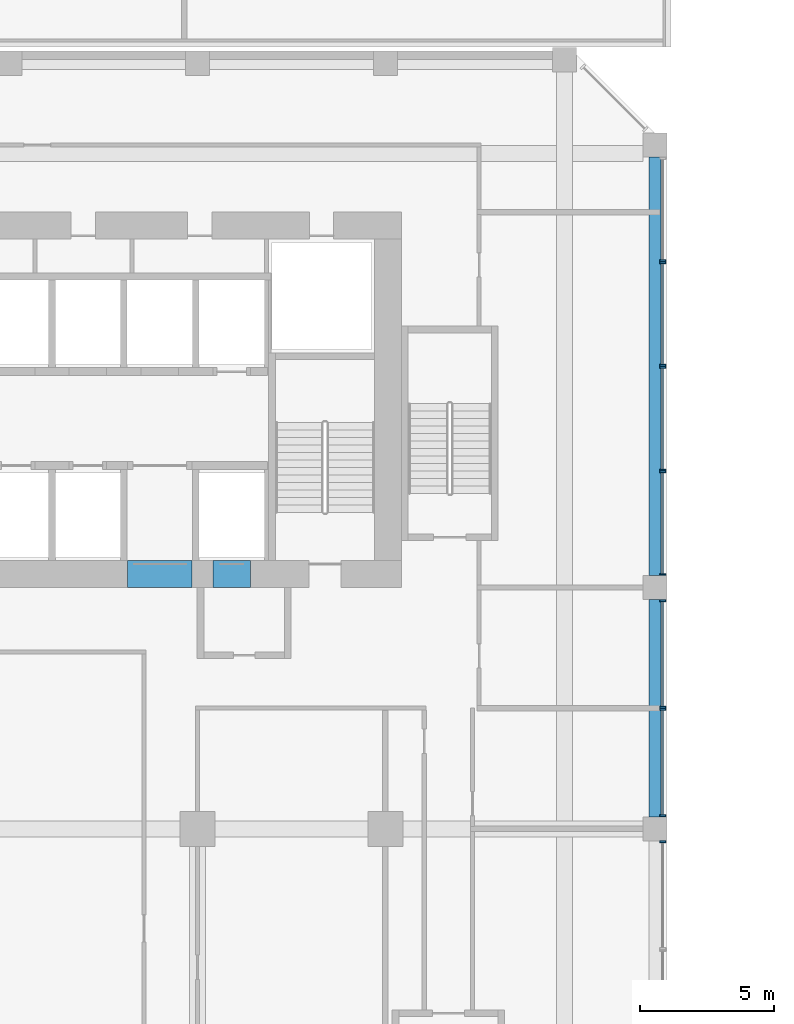
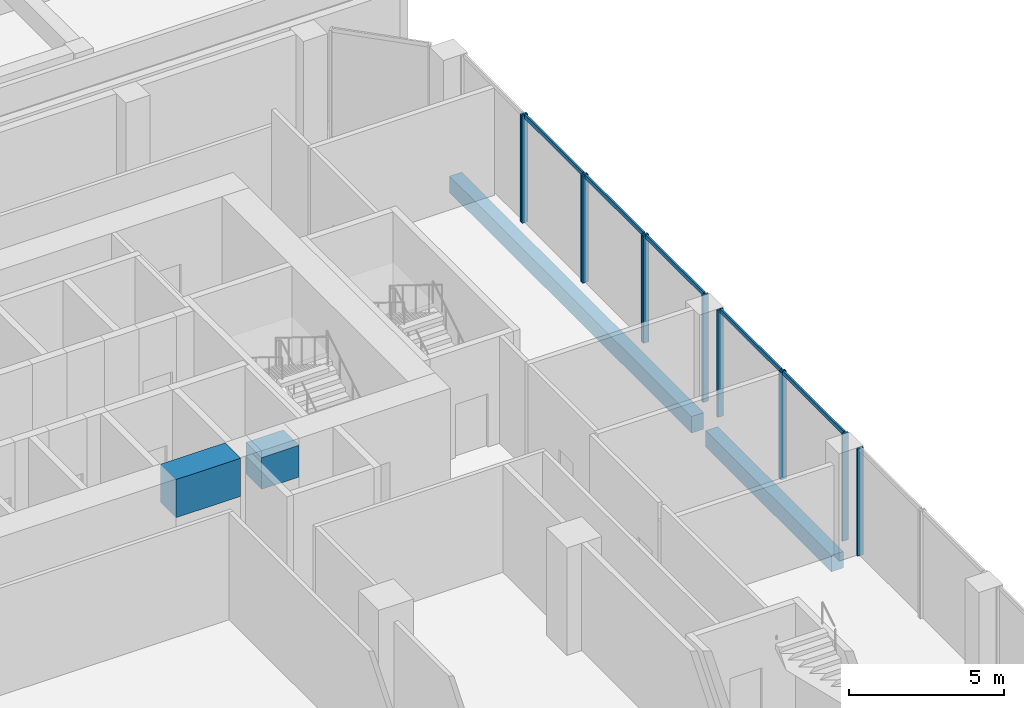
# One storey, part 7 of 35: 17 members, 4 beams, 7 elements without a shape of their own.
"""IFC4 building model written with IfcOpenShell, lengths in metres."""

from ifc_helpers import new_model, si_unit, direction, frame, origin, origin_2d, place, context, subcontext, project, spatial, rectangle, extrude, source, transform, mapped, material, material_profile, profile_set, type_object, element, aggregate, save


model = new_model("IFC4")

# Units and contexts
model_context = context("Model", 3, precision=1e-05, world=origin(), true_north=direction((0.0, 1.0)))
body_context = subcontext(model_context, "Body", "Model", "MODEL_VIEW")
ifc_project = project(units=[si_unit("LENGTHUNIT", "METRE"), si_unit("AREAUNIT", "SQUARE_METRE"), si_unit("VOLUMEUNIT", "CUBIC_METRE"), si_unit("PLANEANGLEUNIT", "RADIAN"), si_unit("MASSUNIT", "GRAM", prefix="KILO")], contexts=[model_context])

# Site, building, storey
site_placement = place(None, origin())
site = spatial("IfcSite", under=ifc_project, at=site_placement, CompositionType="ELEMENT")
building_placement = place(site_placement, origin())
building = spatial("IfcBuilding", under=site, at=building_placement, Name="Kilnfold Tower and Market Hall", CompositionType="ELEMENT")
storey_placement = place(building_placement, frame((0.0, 0.0, 22.5)))
storey = spatial("IfcBuildingStorey", under=building, at=storey_placement, Name="L04", CompositionType="ELEMENT", Elevation=22.5)

# Beams
ifc_material_1 = material(Name="Concrete C80", Category="concrete")
ifc_material_profile_1 = material_profile(ifc_material_1, rectangle(XDim=1.0, YDim=1.25, at=origin_2d()), Name="RC 1000x1250")
ifc_profile_set_1 = profile_set([ifc_material_profile_1], Name="Concrete C80")
beam_type_1 = type_object("IfcBeamType", Name="COUPLING BEAM 1000X1250 C80", PredefinedType="BEAM", material=ifc_profile_set_1)
shared_shape_1 = source(origin(), body_context, "Body", "SweptSolid", [
    extrude(rectangle(XDim=1.0, YDim=1.25, at=origin_2d()), origin(), (0.0, 0.0, 1.0), 1.39990234375),
])
beam_1_placement = place(storey_placement, frame((11.070068359375, 8.5, 3.324951171875), z_axis=(1.0, 0.0, 0.0), x_axis=(0.0, 1.0, 0.0)))
element("IfcBeam", 1, at=beam_1_placement, inside=storey, type_object=beam_type_1, Name="Coupling beam CB1250-80-CORE.47", PredefinedType="BEAM", context=body_context, shape_type="MappedRepresentation", body=[
    mapped(shared_shape_1, transform((0.0, 0.0, 0.0))),
])
ifc_material_2 = material(Name="Concrete C80", Category="concrete")
ifc_material_profile_2 = material_profile(ifc_material_2, rectangle(XDim=1.0, YDim=1.5, at=origin_2d()), Name="RC 1000x1500")
ifc_profile_set_2 = profile_set([ifc_material_profile_2], Name="Concrete C80")
beam_type_2 = type_object("IfcBeamType", Name="COUPLING BEAM 1000X1500 C80", PredefinedType="BEAM", material=ifc_profile_set_2)
shared_shape_2 = source(origin(), body_context, "Body", "SweptSolid", [
    extrude(rectangle(XDim=1.0, YDim=1.5, at=origin_2d()), origin(), (0.0, 0.0, 1.0), 2.400146484375),
])
beam_2_placement = place(storey_placement, frame((7.889892578125, 8.5, 3.449951171875), z_axis=(1.0, 0.0, 0.0), x_axis=(0.0, 1.0, 0.0)))
element("IfcBeam", 2, at=beam_2_placement, inside=storey, type_object=beam_type_2, Name="Coupling beam CB1500-80-CORE.46", PredefinedType="BEAM", context=body_context, shape_type="MappedRepresentation", body=[
    mapped(shared_shape_2, transform((0.0, 0.0, 0.0))),
])
ifc_material_3 = material(Name="Concrete C45", Category="concrete")
ifc_material_profile_3 = material_profile(ifc_material_3, rectangle(XDim=0.449951171875, YDim=0.64990234375, at=origin_2d()), Name="RC 450x650")
ifc_profile_set_3 = profile_set([ifc_material_profile_3], Name="Concrete C45")
beam_type_3 = type_object("IfcBeamType", Name="EDGE BEAM 450X650 C45", PredefinedType="BEAM", material=ifc_profile_set_3)
shared_shape_3 = source(origin(), body_context, "Body", "SweptSolid", [
    extrude(rectangle(XDim=0.449951171875, YDim=0.64990234375, at=origin_2d()), origin(), (0.0, 0.0, 1.0), 8.10009765625),
])
beam_3_placement = place(storey_placement, frame((27.550048828125, -0.550048828125, -0.72509765625), z_axis=(0.0, 1.0, 0.0), x_axis=(-1.0, 0.0, 0.0)))
element("IfcBeam", 3, at=beam_3_placement, inside=storey, type_object=beam_type_3, Name="Beam EB650-B1.53", PredefinedType="BEAM", context=body_context, shape_type="MappedRepresentation", body=[
    mapped(shared_shape_3, transform((0.0, 0.0, 0.0))),
])
shared_shape_4 = source(origin(), body_context, "Body", "SweptSolid", [
    extrude(rectangle(XDim=0.449951171875, YDim=0.64990234375, at=origin_2d()), origin(), (0.0, 0.0, 1.0), 15.60009765625),
])
beam_4_placement = place(storey_placement, frame((27.550048828125, 8.449951171875, -0.72509765625), z_axis=(0.0, 1.0, 0.0), x_axis=(-1.0, 0.0, 0.0)))
element("IfcBeam", 4, at=beam_4_placement, inside=storey, type_object=beam_type_3, Name="Beam EB650-B1.59", PredefinedType="BEAM", context=body_context, shape_type="MappedRepresentation", body=[
    mapped(shared_shape_4, transform((0.0, 0.0, 0.0))),
])

# Curtain wall, member
ifc_material_4 = material(Name="Aluminium and double glazing", Category="aluminium")
curtain_wall_type = type_object("IfcCurtainWallType", Name="CW BASE PODIUM GLAZING", PredefinedType="NOTDEFINED", material=ifc_material_4)
curtain_wall_1_placement = place(storey_placement, origin())
curtain_wall_1 = element("IfcCurtainWall", 5, at=curtain_wall_1_placement, inside=storey, type_object=curtain_wall_type, Name="Curtain wall CW4 L04 E", PredefinedType="NOTDEFINED")
ifc_material_5 = material(Name="Aluminium", Category="aluminium")
ifc_material_profile_4 = material_profile(ifc_material_5, rectangle(XDim=0.070068359375, YDim=0.159912109375, at=origin_2d()), Name="TRANSOM 70x160")
ifc_profile_set_4 = profile_set([ifc_material_profile_4], Name="Aluminium")
member_type_1 = type_object("IfcMemberType", Name="TRANSOM 70X160", PredefinedType="USERDEFINED", material=ifc_profile_set_4)
shared_shape_5 = source(origin(), body_context, "Body", "SweptSolid", [
    extrude(rectangle(XDim=0.070068359375, YDim=0.159912109375, at=origin_2d()), origin(), (0.0, 0.0, 1.0), 3.909912109375),
])
member_1_placement = place(storey_placement, frame((27.85009765625, -0.47998046875, 4.18505859375), z_axis=(0.0, 1.0, 0.0), x_axis=(-1.0, 0.0, 0.0)))
member_1 = element("IfcMember", 6, at=member_1_placement, type_object=member_type_1, Name="CW4 transom 1.2", ObjectType="TRANSOM", PredefinedType="USERDEFINED", context=body_context, shape_type="MappedRepresentation", body=[
    mapped(shared_shape_5, transform((0.0, 0.0, 0.0))),
])

curtain_wall_2_placement = place(storey_placement, origin())
curtain_wall_2 = element("IfcCurtainWall", 7, at=curtain_wall_2_placement, inside=storey, type_object=curtain_wall_type, Name="Curtain wall CW4 L04 E", PredefinedType="NOTDEFINED")
member_2_placement = place(storey_placement, frame((27.85009765625, 3.570068359375, 4.18505859375), z_axis=(0.0, 1.0, 0.0), x_axis=(-1.0, 0.0, 0.0)))
member_2 = element("IfcMember", 8, at=member_2_placement, type_object=member_type_1, Name="CW4 transom 1.2", ObjectType="TRANSOM", PredefinedType="USERDEFINED", context=body_context, shape_type="MappedRepresentation", body=[
    mapped(shared_shape_5, transform((0.0, 0.0, 0.0))),
])

curtain_wall_3_placement = place(storey_placement, origin())
curtain_wall_3 = element("IfcCurtainWall", 9, at=curtain_wall_3_placement, inside=storey, type_object=curtain_wall_type, Name="Curtain wall CW4 L04 E", PredefinedType="NOTDEFINED")
shared_shape_6 = source(origin(), body_context, "Body", "SweptSolid", [
    extrude(rectangle(XDim=0.070068359375, YDim=0.159912109375, at=origin_2d()), origin(), (0.0, 0.0, 1.0), 3.760009765625),
])
member_3_placement = place(storey_placement, frame((27.85009765625, 8.52001953125, 4.18505859375), z_axis=(0.0, 1.0, 0.0), x_axis=(-1.0, 0.0, 0.0)))
member_3 = element("IfcMember", 10, at=member_3_placement, type_object=member_type_1, Name="CW4 transom 1.2", ObjectType="TRANSOM", PredefinedType="USERDEFINED", context=body_context, shape_type="MappedRepresentation", body=[
    mapped(shared_shape_6, transform((0.0, 0.0, 0.0))),
])

curtain_wall_4_placement = place(storey_placement, origin())
curtain_wall_4 = element("IfcCurtainWall", 11, at=curtain_wall_4_placement, inside=storey, type_object=curtain_wall_type, Name="Curtain wall CW4 L04 E", PredefinedType="NOTDEFINED")
member_4_placement = place(storey_placement, frame((27.85009765625, 12.419921875, 4.18505859375), z_axis=(0.0, 1.0, 0.0), x_axis=(-1.0, 0.0, 0.0)))
member_4 = element("IfcMember", 12, at=member_4_placement, type_object=member_type_1, Name="CW4 transom 1.2", ObjectType="TRANSOM", PredefinedType="USERDEFINED", context=body_context, shape_type="MappedRepresentation", body=[
    mapped(shared_shape_6, transform((0.0, 0.0, 0.0))),
])

curtain_wall_5_placement = place(storey_placement, origin())
curtain_wall_5 = element("IfcCurtainWall", 13, at=curtain_wall_5_placement, inside=storey, type_object=curtain_wall_type, Name="Curtain wall CW4 L04 E", PredefinedType="NOTDEFINED")
member_5_placement = place(storey_placement, frame((27.85009765625, 16.320068359375, 4.18505859375), z_axis=(0.0, 1.0, 0.0), x_axis=(-1.0, 0.0, 0.0)))
member_5 = element("IfcMember", 14, at=member_5_placement, type_object=member_type_1, Name="CW4 transom 1.2", ObjectType="TRANSOM", PredefinedType="USERDEFINED", context=body_context, shape_type="MappedRepresentation", body=[
    mapped(shared_shape_6, transform((0.0, 0.0, 0.0))),
])

curtain_wall_6_placement = place(storey_placement, origin())
curtain_wall_6 = element("IfcCurtainWall", 15, at=curtain_wall_6_placement, inside=storey, type_object=curtain_wall_type, Name="Curtain wall CW4 L04 E", PredefinedType="NOTDEFINED")
ifc_material_6 = material(Name="Aluminium", Category="aluminium")
ifc_material_profile_5 = material_profile(ifc_material_6, rectangle(XDim=0.070068359375, YDim=0.219970703125, at=origin_2d()), Name="MULLION 70x220")
ifc_profile_set_5 = profile_set([ifc_material_profile_5], Name="Aluminium")
member_type_2 = type_object("IfcMemberType", Name="MULLION 70X220", PredefinedType="MULLION", material=ifc_profile_set_5)
shared_shape_7 = source(origin(), body_context, "Body", "SweptSolid", [
    extrude(rectangle(XDim=0.070068359375, YDim=0.219970703125, at=origin_2d()), origin(), (0.0, 0.0, 1.0), 4.219970703125),
])
member_6_placement = place(storey_placement, frame((27.85009765625, -1.485107421875, 0.0), z_axis=(0.0, 0.0, 1.0), x_axis=(0.0, 1.0, 0.0)))
member_6 = element("IfcMember", 16, at=member_6_placement, type_object=member_type_2, Name="CW4 mullion 2", PredefinedType="MULLION", context=body_context, shape_type="MappedRepresentation", body=[
    mapped(shared_shape_7, transform((0.0, 0.0, 0.0))),
])
aggregate(curtain_wall_6, [member_6])

# Member
member_7_placement = place(storey_placement, frame((27.85009765625, -0.514892578125, 0.0), z_axis=(0.0, 0.0, 1.0), x_axis=(0.0, 1.0, 0.0)))
member_7 = element("IfcMember", 17, at=member_7_placement, type_object=member_type_2, Name="CW4 mullion 1", PredefinedType="MULLION", context=body_context, shape_type="MappedRepresentation", body=[
    mapped(shared_shape_7, transform((0.0, 0.0, 0.0))),
])

member_8_placement = place(storey_placement, frame((27.85009765625, 3.465087890625, 0.0), z_axis=(0.0, 0.0, 1.0), x_axis=(0.0, 1.0, 0.0)))
member_8 = element("IfcMember", 18, at=member_8_placement, type_object=member_type_2, Name="CW4 mullion 2", PredefinedType="MULLION", context=body_context, shape_type="MappedRepresentation", body=[
    mapped(shared_shape_7, transform((0.0, 0.0, 0.0))),
])

aggregate(curtain_wall_1, [member_7, member_8, member_1])

member_9_placement = place(storey_placement, frame((27.85009765625, 3.534912109375, 0.0), z_axis=(0.0, 0.0, 1.0), x_axis=(0.0, 1.0, 0.0)))
member_9 = element("IfcMember", 19, at=member_9_placement, type_object=member_type_2, Name="CW4 mullion 1", PredefinedType="MULLION", context=body_context, shape_type="MappedRepresentation", body=[
    mapped(shared_shape_7, transform((0.0, 0.0, 0.0))),
])

member_10_placement = place(storey_placement, frame((27.85009765625, 7.514892578125, 0.0), z_axis=(0.0, 0.0, 1.0), x_axis=(0.0, 1.0, 0.0)))
member_10 = element("IfcMember", 20, at=member_10_placement, type_object=member_type_2, Name="CW4 mullion 2", PredefinedType="MULLION", context=body_context, shape_type="MappedRepresentation", body=[
    mapped(shared_shape_7, transform((0.0, 0.0, 0.0))),
])

aggregate(curtain_wall_2, [member_9, member_10, member_2])

member_11_placement = place(storey_placement, frame((27.85009765625, 8.485107421875, 0.0), z_axis=(0.0, 0.0, 1.0), x_axis=(0.0, 1.0, 0.0)))
member_11 = element("IfcMember", 21, at=member_11_placement, type_object=member_type_2, Name="CW4 mullion 1", PredefinedType="MULLION", context=body_context, shape_type="MappedRepresentation", body=[
    mapped(shared_shape_7, transform((0.0, 0.0, 0.0))),
])

member_12_placement = place(storey_placement, frame((27.85009765625, 12.31494140625, 0.0), z_axis=(0.0, 0.0, 1.0), x_axis=(0.0, 1.0, 0.0)))
member_12 = element("IfcMember", 22, at=member_12_placement, type_object=member_type_2, Name="CW4 mullion 2", PredefinedType="MULLION", context=body_context, shape_type="MappedRepresentation", body=[
    mapped(shared_shape_7, transform((0.0, 0.0, 0.0))),
])

aggregate(curtain_wall_3, [member_11, member_12, member_3])

member_13_placement = place(storey_placement, frame((27.85009765625, 12.385009765625, 0.0), z_axis=(0.0, 0.0, 1.0), x_axis=(0.0, 1.0, 0.0)))
member_13 = element("IfcMember", 23, at=member_13_placement, type_object=member_type_2, Name="CW4 mullion 1", PredefinedType="MULLION", context=body_context, shape_type="MappedRepresentation", body=[
    mapped(shared_shape_7, transform((0.0, 0.0, 0.0))),
])

member_14_placement = place(storey_placement, frame((27.85009765625, 16.215087890625, 0.0), z_axis=(0.0, 0.0, 1.0), x_axis=(0.0, 1.0, 0.0)))
member_14 = element("IfcMember", 24, at=member_14_placement, type_object=member_type_2, Name="CW4 mullion 2", PredefinedType="MULLION", context=body_context, shape_type="MappedRepresentation", body=[
    mapped(shared_shape_7, transform((0.0, 0.0, 0.0))),
])

aggregate(curtain_wall_4, [member_13, member_14, member_4])

member_15_placement = place(storey_placement, frame((27.85009765625, 16.284912109375, 0.0), z_axis=(0.0, 0.0, 1.0), x_axis=(0.0, 1.0, 0.0)))
member_15 = element("IfcMember", 25, at=member_15_placement, type_object=member_type_2, Name="CW4 mullion 1", PredefinedType="MULLION", context=body_context, shape_type="MappedRepresentation", body=[
    mapped(shared_shape_7, transform((0.0, 0.0, 0.0))),
])

member_16_placement = place(storey_placement, frame((27.85009765625, 20.114990234375, 0.0), z_axis=(0.0, 0.0, 1.0), x_axis=(0.0, 1.0, 0.0)))
member_16 = element("IfcMember", 26, at=member_16_placement, type_object=member_type_2, Name="CW4 mullion 2", PredefinedType="MULLION", context=body_context, shape_type="MappedRepresentation", body=[
    mapped(shared_shape_7, transform((0.0, 0.0, 0.0))),
])

aggregate(curtain_wall_5, [member_15, member_16, member_5])

# Curtain wall, member
curtain_wall_7_placement = place(storey_placement, origin())
curtain_wall_7 = element("IfcCurtainWall", 27, at=curtain_wall_7_placement, inside=storey, type_object=curtain_wall_type, Name="Curtain wall CW4 L04 E", PredefinedType="NOTDEFINED")
member_17_placement = place(storey_placement, frame((27.85009765625, 20.18505859375, 0.0), z_axis=(0.0, 0.0, 1.0), x_axis=(0.0, 1.0, 0.0)))
member_17 = element("IfcMember", 28, at=member_17_placement, type_object=member_type_2, Name="CW4 mullion 1", PredefinedType="MULLION", context=body_context, shape_type="MappedRepresentation", body=[
    mapped(shared_shape_7, transform((0.0, 0.0, 0.0))),
])
aggregate(curtain_wall_7, [member_17])

save(model, "model.ifc")
